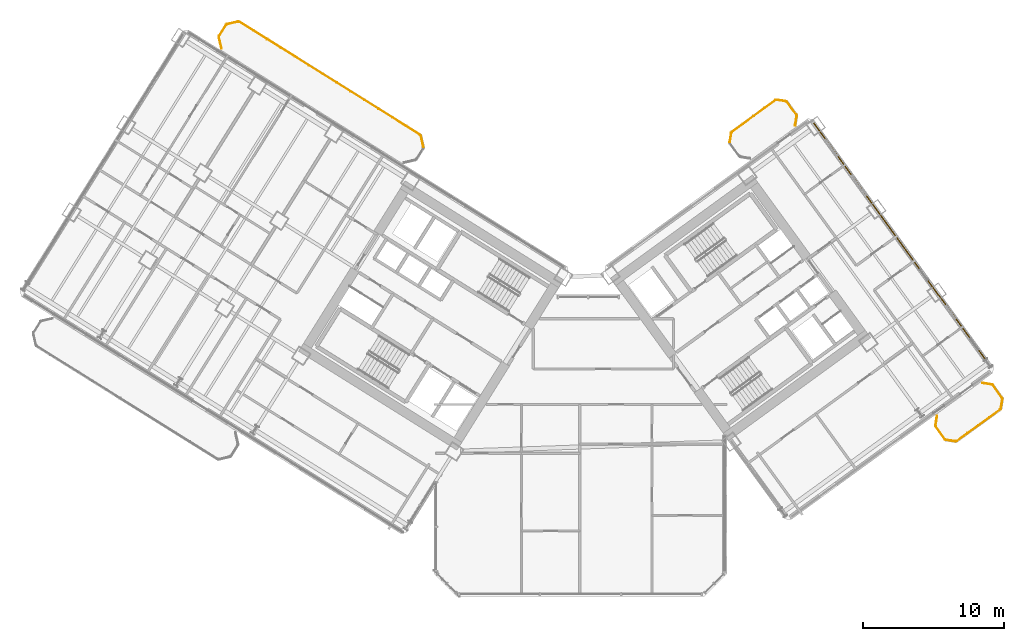
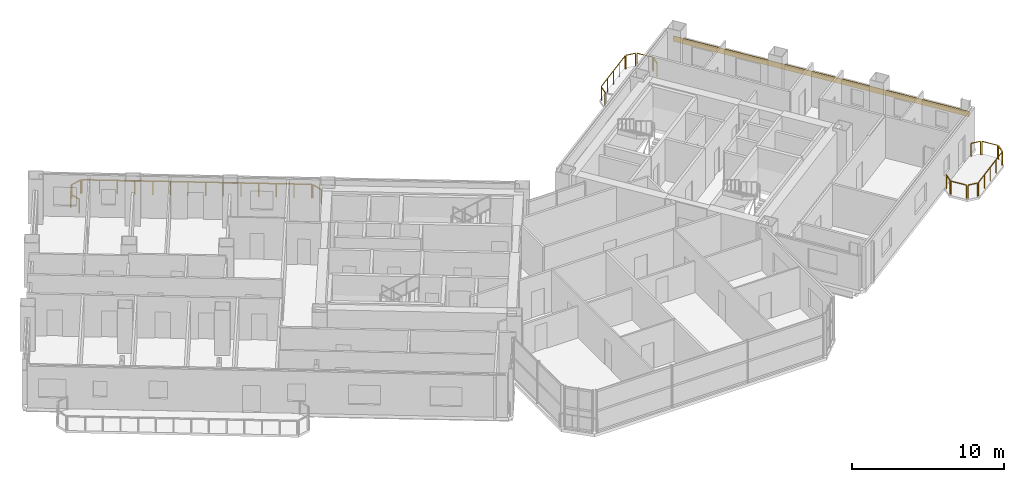
# One storey, part 28 of 28: 17 railings, 1 covering.
"""IFC4 building model written with IfcOpenShell, lengths in metres."""

from ifc_helpers import new_model, si_unit, direction, frame, origin, origin_2d, place, context, subcontext, project, spatial, rectangle, extrude, source, transform, mapped, material, layer, layer_set, type_object, element, save


model = new_model("IFC4")

# Units and contexts
model_context = context("Model", 3, precision=1e-05, world=origin(), true_north=direction((0.0, 1.0)))
body_context = subcontext(model_context, "Body", "Model", "MODEL_VIEW")
ifc_project = project(units=[si_unit("LENGTHUNIT", "METRE"), si_unit("AREAUNIT", "SQUARE_METRE"), si_unit("VOLUMEUNIT", "CUBIC_METRE"), si_unit("PLANEANGLEUNIT", "RADIAN"), si_unit("MASSUNIT", "GRAM", prefix="KILO")], contexts=[model_context])

# Site, building, storey
site_placement = place(None, origin())
site = spatial("IfcSite", under=ifc_project, at=site_placement, CompositionType="ELEMENT")
building_placement = place(site_placement, origin())
building = spatial("IfcBuilding", under=site, at=building_placement, Name="Tlacorven Tower", CompositionType="ELEMENT")
storey_placement = place(building_placement, frame((0.0, 0.0, 56.39990234375)))
storey = spatial("IfcBuildingStorey", under=building, at=storey_placement, Name="L14", CompositionType="ELEMENT", Elevation=56.39990234375)

# Railings
ifc_material_1 = material(Name="Aluminium and painted steel balustrade", Category="steel")
railing_type = type_object("IfcRailingType", Name="RL-BAL-1100", PredefinedType="BALUSTRADE", material=ifc_material_1)
shared_shape_1 = source(origin(), body_context, "Body", "SweptSolid", [
    extrude(rectangle(XDim=0.048095703125, YDim=0.048095703125, at=origin_2d()), frame((0.0, 0.0, 1.076171875), z_axis=(0.225058334816, -0.974345290916, 0.0), x_axis=(0.974345290916, 0.225058334816, 0.0)), (0.0, 0.0, 1.0), 0.80712890625),
    extrude(rectangle(XDim=0.0419921875, YDim=0.0419921875, at=origin_2d()), origin(), (0.0, 0.0, 1.0), 1.052001953125),
    extrude(rectangle(XDim=0.0419921875, YDim=0.0419921875, at=origin_2d()), frame((0.181640625, -0.786376953125, 0.0)), (0.0, 0.0, 1.0), 1.052001953125),
])
railing_1_placement = place(storey_placement, frame((30.6796875, 34.466064453125, 0.0)))
element("IfcRailing", 1, at=railing_1_placement, inside=storey, type_object=railing_type, Name="BAL-L14-W-IN Guard Railing 1", PredefinedType="BALUSTRADE", context=body_context, shape_type="MappedRepresentation", body=[
    mapped(shared_shape_1, transform((0.0, 0.0, 0.0), scale=1.0)),
])
shared_shape_2 = source(origin(), body_context, "Body", "SweptSolid", [
    extrude(rectangle(XDim=0.048095703125, YDim=0.048095703125, at=origin_2d()), frame((0.0, 0.0, 1.076171875), z_axis=(-0.225058334816, 0.974345290916, 0.0), x_axis=(-0.974345290916, -0.225058334816, 0.0)), (0.0, 0.0, 1.0), 0.80712890625),
    extrude(rectangle(XDim=0.0419921875, YDim=0.0419921875, at=origin_2d()), origin(), (0.0, 0.0, 1.0), 1.052001953125),
    extrude(rectangle(XDim=0.0419921875, YDim=0.0419921875, at=origin_2d()), frame((-0.181640625, 0.786376953125, 0.0)), (0.0, 0.0, 1.0), 1.052001953125),
])
railing_2_placement = place(storey_placement, frame((16.5361328125, 40.68115234375, 0.0)))
element("IfcRailing", 2, at=railing_2_placement, inside=storey, type_object=railing_type, Name="BAL-L14-W-IN Guard Railing 4", PredefinedType="BALUSTRADE", context=body_context, shape_type="MappedRepresentation", body=[
    mapped(shared_shape_2, transform((0.0, 0.0, 0.0), scale=1.0)),
])
shared_shape_3 = source(origin(), body_context, "Body", "SweptSolid", [
    extrude(rectangle(XDim=0.048095703125, YDim=0.048095703125, at=origin_2d()), frame((0.0, 0.0, 1.076171875), z_axis=(0.52987865805, 0.848073468364, 0.0), x_axis=(-0.848073468364, 0.52987865805, 0.0)), (0.0, 0.0, 1.0), 0.912353515625),
    extrude(rectangle(XDim=0.0419921875, YDim=0.0419921875, at=origin_2d()), origin(), (0.0, 0.0, 1.0), 1.052001953125),
    extrude(rectangle(XDim=0.0419921875, YDim=0.0419921875, at=origin_2d()), frame((0.4833984375, 0.773681640625, 0.0)), (0.0, 0.0, 1.0), 1.052001953125),
])
railing_3_placement = place(storey_placement, frame((16.369873046875, 41.55859375, 0.0)))
element("IfcRailing", 3, at=railing_3_placement, inside=storey, type_object=railing_type, Name="BAL-L14-W-IN Guard Railing 5", PredefinedType="BALUSTRADE", context=body_context, shape_type="MappedRepresentation", body=[
    mapped(shared_shape_3, transform((0.0, 0.0, 0.0), scale=1.0)),
])
shared_shape_4 = source(origin(), body_context, "Body", "SweptSolid", [
    extrude(rectangle(XDim=0.048095703125, YDim=0.048095703125, at=origin_2d()), frame((0.0, 0.0, 1.076171875), z_axis=(0.974411586182, 0.224771129628, 0.0), x_axis=(-0.224771129628, 0.974411586182, 0.0)), (0.0, 0.0, 1.0), 0.80712890625),
    extrude(rectangle(XDim=0.0419921875, YDim=0.0419921875, at=origin_2d()), origin(), (0.0, 0.0, 1.0), 1.052001953125),
    extrude(rectangle(XDim=0.0419921875, YDim=0.0419921875, at=origin_2d()), frame((0.786376953125, 0.181396484375, 0.0)), (0.0, 0.0, 1.0), 1.052001953125),
])
railing_4_placement = place(storey_placement, frame((16.928466796875, 42.385986328125, 0.0)))
element("IfcRailing", 4, at=railing_4_placement, inside=storey, type_object=railing_type, Name="BAL-L14-W-IN Guard Railing 6", PredefinedType="BALUSTRADE", context=body_context, shape_type="MappedRepresentation", body=[
    mapped(shared_shape_4, transform((0.0, 0.0, 0.0), scale=1.0)),
])
shared_shape_5 = source(origin(), body_context, "Body", "SweptSolid", [
    extrude(rectangle(XDim=0.048095703125, YDim=0.048095703125, at=origin_2d()), frame((0.0, 0.0, 1.076171875), z_axis=(0.848044572804, -0.529924902733, 0.0), x_axis=(0.529924902733, 0.848044572804, 0.0)), (0.0, 0.0, 1.0), 15.1171875),
    extrude(rectangle(XDim=0.0419921875, YDim=0.0419921875, at=origin_2d()), origin(), (0.0, 0.0, 1.0), 1.052001953125),
    extrude(rectangle(XDim=0.0419921875, YDim=0.0419921875, at=origin_2d()), frame((0.986083984375, -0.6162109375, 0.0)), (0.0, 0.0, 1.0), 1.052001953125),
    extrude(rectangle(XDim=0.0419921875, YDim=0.0419921875, at=origin_2d()), frame((1.972412109375, -1.232421875, 0.0)), (0.0, 0.0, 1.0), 1.052001953125),
    extrude(rectangle(XDim=0.0419921875, YDim=0.0419921875, at=origin_2d()), frame((2.95849609375, -1.8486328125, 0.0)), (0.0, 0.0, 1.0), 1.052001953125),
    extrude(rectangle(XDim=0.0419921875, YDim=0.0419921875, at=origin_2d()), frame((3.944580078125, -2.46484375, 0.0)), (0.0, 0.0, 1.0), 1.052001953125),
    extrude(rectangle(XDim=0.0419921875, YDim=0.0419921875, at=origin_2d()), frame((4.930908203125, -3.0810546875, 0.0)), (0.0, 0.0, 1.0), 1.052001953125),
    extrude(rectangle(XDim=0.0419921875, YDim=0.0419921875, at=origin_2d()), frame((5.9169921875, -3.697265625, 0.0)), (0.0, 0.0, 1.0), 1.052001953125),
    extrude(rectangle(XDim=0.0419921875, YDim=0.0419921875, at=origin_2d()), frame((6.903076171875, -4.313720703125, 0.0)), (0.0, 0.0, 1.0), 1.052001953125),
    extrude(rectangle(XDim=0.0419921875, YDim=0.0419921875, at=origin_2d()), frame((7.88916015625, -4.929931640625, 0.0)), (0.0, 0.0, 1.0), 1.052001953125),
    extrude(rectangle(XDim=0.0419921875, YDim=0.0419921875, at=origin_2d()), frame((8.87548828125, -5.546142578125, 0.0)), (0.0, 0.0, 1.0), 1.052001953125),
    extrude(rectangle(XDim=0.0419921875, YDim=0.0419921875, at=origin_2d()), frame((9.861572265625, -6.162353515625, 0.0)), (0.0, 0.0, 1.0), 1.052001953125),
    extrude(rectangle(XDim=0.0419921875, YDim=0.0419921875, at=origin_2d()), frame((10.84765625, -6.778564453125, 0.0)), (0.0, 0.0, 1.0), 1.052001953125),
    extrude(rectangle(XDim=0.0419921875, YDim=0.0419921875, at=origin_2d()), frame((11.833984375, -7.394775390625, 0.0)), (0.0, 0.0, 1.0), 1.052001953125),
    extrude(rectangle(XDim=0.0419921875, YDim=0.0419921875, at=origin_2d()), frame((12.820068359375, -8.010986328125, 0.0)), (0.0, 0.0, 1.0), 1.052001953125),
])
railing_5_placement = place(storey_placement, frame((17.805908203125, 42.55224609375, 0.0)))
element("IfcRailing", 5, at=railing_5_placement, inside=storey, type_object=railing_type, Name="BAL-L14-W-IN Guard Railing 7", PredefinedType="BALUSTRADE", context=body_context, shape_type="MappedRepresentation", body=[
    mapped(shared_shape_5, transform((0.0, 0.0, 0.0), scale=1.0)),
])
shared_shape_6 = source(origin(), body_context, "Body", "SweptSolid", [
    extrude(rectangle(XDim=0.048095703125, YDim=0.048095703125, at=origin_2d()), frame((0.0, 0.0, 1.076171875), z_axis=(-0.987661653326, 0.156602868908, 0.0), x_axis=(-0.156602868908, -0.987661653326, 0.0)), (0.0, 0.0, 1.0), 0.665771484375),
    extrude(rectangle(XDim=0.0419921875, YDim=0.0419921875, at=origin_2d()), origin(), (0.0, 0.0, 1.0), 1.052001953125),
    extrude(rectangle(XDim=0.0419921875, YDim=0.0419921875, at=origin_2d()), frame((-0.657470703125, 0.104248046875, 0.0)), (0.0, 0.0, 1.0), 1.052001953125),
])
railing_6_placement = place(storey_placement, frame((68.59521484375, 12.7919921875, 0.0)))
element("IfcRailing", 6, at=railing_6_placement, inside=storey, type_object=railing_type, Name="BAL-L14-E-OUT Guard Railing 1", PredefinedType="BALUSTRADE", context=body_context, shape_type="MappedRepresentation", body=[
    mapped(shared_shape_6, transform((0.0, 0.0, 0.0), scale=1.0)),
])
shared_shape_7 = source(origin(), body_context, "Body", "SweptSolid", [
    extrude(rectangle(XDim=0.048095703125, YDim=0.048095703125, at=origin_2d()), frame((0.0, 0.0, 1.076171875), z_axis=(-0.58788449985, 0.808944877501, 0.0), x_axis=(-0.808944877501, -0.58788449985, 0.0)), (0.0, 0.0, 1.0), 1.112060546875),
    extrude(rectangle(XDim=0.0419921875, YDim=0.0419921875, at=origin_2d()), origin(), (0.0, 0.0, 1.0), 1.052001953125),
    extrude(rectangle(XDim=0.0419921875, YDim=0.0419921875, at=origin_2d()), frame((-0.65380859375, 0.899658203125, 0.0)), (0.0, 0.0, 1.0), 1.052001953125),
])
railing_7_placement = place(storey_placement, frame((67.85888671875, 12.944580078125, 0.0)))
element("IfcRailing", 7, at=railing_7_placement, inside=storey, type_object=railing_type, Name="BAL-L14-E-OUT Guard Railing 2", PredefinedType="BALUSTRADE", context=body_context, shape_type="MappedRepresentation", body=[
    mapped(shared_shape_7, transform((0.0, 0.0, 0.0), scale=1.0)),
])
shared_shape_8 = source(origin(), body_context, "Body", "SweptSolid", [
    extrude(rectangle(XDim=0.048095703125, YDim=0.048095703125, at=origin_2d()), frame((0.0, 0.0, 1.076171875), z_axis=(0.156602868908, 0.987661653326, 0.0), x_axis=(-0.987661653326, 0.156602868908, 0.0)), (0.0, 0.0, 1.0), 0.665771484375),
    extrude(rectangle(XDim=0.0419921875, YDim=0.0419921875, at=origin_2d()), origin(), (0.0, 0.0, 1.0), 1.052001953125),
    extrude(rectangle(XDim=0.0419921875, YDim=0.0419921875, at=origin_2d()), frame((0.104248046875, 0.657470703125, 0.0)), (0.0, 0.0, 1.0), 1.052001953125),
])
railing_8_placement = place(storey_placement, frame((67.18359375, 13.93408203125, 0.0)))
element("IfcRailing", 8, at=railing_8_placement, inside=storey, type_object=railing_type, Name="BAL-L14-E-OUT Guard Railing 3", PredefinedType="BALUSTRADE", context=body_context, shape_type="MappedRepresentation", body=[
    mapped(shared_shape_8, transform((0.0, 0.0, 0.0), scale=1.0)),
])
shared_shape_9 = source(origin(), body_context, "Body", "SweptSolid", [
    extrude(rectangle(XDim=0.048095703125, YDim=0.048095703125, at=origin_2d()), frame((0.0, 0.0, 1.076171875), z_axis=(0.987718317463, -0.156245081039, 0.0), x_axis=(0.156245081039, 0.987718317463, 0.0)), (0.0, 0.0, 1.0), 0.66552734375),
    extrude(rectangle(XDim=0.0419921875, YDim=0.0419921875, at=origin_2d()), origin(), (0.0, 0.0, 1.0), 1.052001953125),
    extrude(rectangle(XDim=0.0419921875, YDim=0.0419921875, at=origin_2d()), frame((0.657470703125, -0.10400390625, 0.0)), (0.0, 0.0, 1.0), 1.052001953125),
])
railing_9_placement = place(storey_placement, frame((70.513916015625, 16.935546875, 0.0)))
element("IfcRailing", 9, at=railing_9_placement, inside=storey, type_object=railing_type, Name="BAL-L14-E-OUT Guard Railing 4", PredefinedType="BALUSTRADE", context=body_context, shape_type="MappedRepresentation", body=[
    mapped(shared_shape_9, transform((0.0, 0.0, 0.0), scale=1.0)),
])
shared_shape_10 = source(origin(), body_context, "Body", "SweptSolid", [
    extrude(rectangle(XDim=0.048095703125, YDim=0.048095703125, at=origin_2d()), frame((0.0, 0.0, 1.076171875), z_axis=(0.58788449985, -0.808944877501, 0.0), x_axis=(0.808944877501, 0.58788449985, 0.0)), (0.0, 0.0, 1.0), 1.112060546875),
    extrude(rectangle(XDim=0.0419921875, YDim=0.0419921875, at=origin_2d()), origin(), (0.0, 0.0, 1.0), 1.052001953125),
    extrude(rectangle(XDim=0.0419921875, YDim=0.0419921875, at=origin_2d()), frame((0.65380859375, -0.899658203125, 0.0)), (0.0, 0.0, 1.0), 1.052001953125),
])
for number, where, name in (
    (10, (71.250244140625, 16.783203125, 0.0), "BAL-L14-E-OUT Guard Railing 5"),
    (11, (56.658447265625, 36.866943359375, 0.0), "BAL-L14-E-IN Guard Railing 6"),
):
    element("IfcRailing", number, at=place(storey_placement, frame(where)), inside=storey, type_object=railing_type, Name=name, PredefinedType="BALUSTRADE", context=body_context, shape_type="MappedRepresentation", body=[
        mapped(shared_shape_10, transform((0.0, 0.0, 0.0), scale=1.0)),
    ])
shared_shape_11 = source(origin(), body_context, "Body", "SweptSolid", [
    extrude(rectangle(XDim=0.048095703125, YDim=0.048095703125, at=origin_2d()), frame((0.0, 0.0, 1.076171875), z_axis=(-0.156188498702, -0.987727266442, 0.0), x_axis=(0.987727266442, -0.156188498702, 0.0)), (0.0, 0.0, 1.0), 0.665771484375),
    extrude(rectangle(XDim=0.0419921875, YDim=0.0419921875, at=origin_2d()), origin(), (0.0, 0.0, 1.0), 1.052001953125),
    extrude(rectangle(XDim=0.0419921875, YDim=0.0419921875, at=origin_2d()), frame((-0.10400390625, -0.65771484375, 0.0)), (0.0, 0.0, 1.0), 1.052001953125),
])
railing_10_placement = place(storey_placement, frame((71.925537109375, 15.793701171875, 0.0)))
element("IfcRailing", 12, at=railing_10_placement, inside=storey, type_object=railing_type, Name="BAL-L14-E-OUT Guard Railing 6", PredefinedType="BALUSTRADE", context=body_context, shape_type="MappedRepresentation", body=[
    mapped(shared_shape_11, transform((0.0, 0.0, 0.0), scale=1.0)),
])
shared_shape_12 = source(origin(), body_context, "Body", "SweptSolid", [
    extrude(rectangle(XDim=0.048095703125, YDim=0.048095703125, at=origin_2d()), frame((0.0, 0.0, 1.076171875), z_axis=(-0.809018102573, -0.587783726986, 0.0), x_axis=(0.587783726986, -0.809018102573, 0.0)), (0.0, 0.0, 1.0), 3.817138671875),
    extrude(rectangle(XDim=0.0419921875, YDim=0.0419921875, at=origin_2d()), origin(), (0.0, 0.0, 1.0), 1.052001953125),
    extrude(rectangle(XDim=0.0419921875, YDim=0.0419921875, at=origin_2d()), frame((-0.77197265625, -0.56103515625, 0.0)), (0.0, 0.0, 1.0), 1.052001953125),
    extrude(rectangle(XDim=0.0419921875, YDim=0.0419921875, at=origin_2d()), frame((-1.5439453125, -1.121826171875, 0.0)), (0.0, 0.0, 1.0), 1.052001953125),
    extrude(rectangle(XDim=0.0419921875, YDim=0.0419921875, at=origin_2d()), frame((-2.316162109375, -1.6826171875, 0.0)), (0.0, 0.0, 1.0), 1.052001953125),
    extrude(rectangle(XDim=0.0419921875, YDim=0.0419921875, at=origin_2d()), frame((-3.088134765625, -2.24365234375, 0.0)), (0.0, 0.0, 1.0), 1.052001953125),
])
railing_11_placement = place(storey_placement, frame((71.773193359375, 15.057373046875, 0.0)))
element("IfcRailing", 13, at=railing_11_placement, inside=storey, type_object=railing_type, Name="BAL-L14-E-OUT Guard Railing 7", PredefinedType="BALUSTRADE", context=body_context, shape_type="MappedRepresentation", body=[
    mapped(shared_shape_12, transform((0.0, 0.0, 0.0), scale=1.0)),
])
shared_shape_13 = source(origin(), body_context, "Body", "SweptSolid", [
    extrude(rectangle(XDim=0.048095703125, YDim=0.048095703125, at=origin_2d()), frame((0.0, 0.0, 1.076171875), z_axis=(0.156546163506, 0.987670642822, 0.0), x_axis=(-0.987670642822, 0.156546163506, 0.0)), (0.0, 0.0, 1.0), 0.666015625),
    extrude(rectangle(XDim=0.0419921875, YDim=0.0419921875, at=origin_2d()), origin(), (0.0, 0.0, 1.0), 1.052001953125),
    extrude(rectangle(XDim=0.0419921875, YDim=0.0419921875, at=origin_2d()), frame((0.104248046875, 0.65771484375, 0.0)), (0.0, 0.0, 1.0), 1.052001953125),
])
railing_12_placement = place(storey_placement, frame((52.591796875, 34.017822265625, 0.0)))
element("IfcRailing", 14, at=railing_12_placement, inside=storey, type_object=railing_type, Name="BAL-L14-E-IN Guard Railing 3", PredefinedType="BALUSTRADE", context=body_context, shape_type="MappedRepresentation", body=[
    mapped(shared_shape_13, transform((0.0, 0.0, 0.0), scale=1.0)),
])
shared_shape_14 = source(origin(), body_context, "Body", "SweptSolid", [
    extrude(rectangle(XDim=0.048095703125, YDim=0.048095703125, at=origin_2d()), frame((0.0, 0.0, 1.076171875), z_axis=(0.809040198054, 0.587753313843, 0.0), x_axis=(-0.587753313843, 0.809040198054, 0.0)), (0.0, 0.0, 1.0), 3.8173828125),
    extrude(rectangle(XDim=0.0419921875, YDim=0.0419921875, at=origin_2d()), origin(), (0.0, 0.0, 1.0), 1.052001953125),
    extrude(rectangle(XDim=0.0419921875, YDim=0.0419921875, at=origin_2d()), frame((0.77197265625, 0.56103515625, 0.0)), (0.0, 0.0, 1.0), 1.052001953125),
    extrude(rectangle(XDim=0.0419921875, YDim=0.0419921875, at=origin_2d()), frame((1.544189453125, 1.121826171875, 0.0)), (0.0, 0.0, 1.0), 1.052001953125),
    extrude(rectangle(XDim=0.0419921875, YDim=0.0419921875, at=origin_2d()), frame((2.31640625, 1.6826171875, 0.0)), (0.0, 0.0, 1.0), 1.052001953125),
    extrude(rectangle(XDim=0.0419921875, YDim=0.0419921875, at=origin_2d()), frame((3.08837890625, 2.24365234375, 0.0)), (0.0, 0.0, 1.0), 1.052001953125),
])
railing_13_placement = place(storey_placement, frame((52.744140625, 34.754150390625, 0.0)))
element("IfcRailing", 15, at=railing_13_placement, inside=storey, type_object=railing_type, Name="BAL-L14-E-IN Guard Railing 4", PredefinedType="BALUSTRADE", context=body_context, shape_type="MappedRepresentation", body=[
    mapped(shared_shape_14, transform((0.0, 0.0, 0.0), scale=1.0)),
])
shared_shape_15 = source(origin(), body_context, "Body", "SweptSolid", [
    extrude(rectangle(XDim=0.048095703125, YDim=0.048095703125, at=origin_2d()), frame((0.0, 0.0, 1.076171875), z_axis=(0.987670642822, -0.156546163506, 0.0), x_axis=(0.156546163506, 0.987670642822, 0.0)), (0.0, 0.0, 1.0), 0.666015625),
    extrude(rectangle(XDim=0.0419921875, YDim=0.0419921875, at=origin_2d()), origin(), (0.0, 0.0, 1.0), 1.052001953125),
    extrude(rectangle(XDim=0.0419921875, YDim=0.0419921875, at=origin_2d()), frame((0.65771484375, -0.104248046875, 0.0)), (0.0, 0.0, 1.0), 1.052001953125),
])
railing_14_placement = place(storey_placement, frame((55.922119140625, 37.01953125, 0.0)))
element("IfcRailing", 16, at=railing_14_placement, inside=storey, type_object=railing_type, Name="BAL-L14-E-IN Guard Railing 5", PredefinedType="BALUSTRADE", context=body_context, shape_type="MappedRepresentation", body=[
    mapped(shared_shape_15, transform((0.0, 0.0, 0.0), scale=1.0)),
])
shared_shape_16 = source(origin(), body_context, "Body", "SweptSolid", [
    extrude(rectangle(XDim=0.048095703125, YDim=0.048095703125, at=origin_2d()), frame((0.0, 0.0, 1.076171875), z_axis=(-0.156245081039, -0.987718317463, 0.0), x_axis=(0.987718317463, -0.156245081039, 0.0)), (0.0, 0.0, 1.0), 0.66552734375),
    extrude(rectangle(XDim=0.0419921875, YDim=0.0419921875, at=origin_2d()), origin(), (0.0, 0.0, 1.0), 1.052001953125),
    extrude(rectangle(XDim=0.0419921875, YDim=0.0419921875, at=origin_2d()), frame((-0.10400390625, -0.657470703125, 0.0)), (0.0, 0.0, 1.0), 1.052001953125),
])
railing_15_placement = place(storey_placement, frame((57.333740234375, 35.87744140625, 0.0)))
element("IfcRailing", 17, at=railing_15_placement, inside=storey, type_object=railing_type, Name="BAL-L14-E-IN Guard Railing 7", PredefinedType="BALUSTRADE", context=body_context, shape_type="MappedRepresentation", body=[
    mapped(shared_shape_16, transform((0.0, 0.0, 0.0), scale=1.0)),
])

# Covering
ifc_material_2 = material(Name="Precast concrete C45/55", Category="concrete")
ifc_layer = layer(ifc_material_2, 0.06005859375)
ifc_layer_set = layer_set([ifc_layer], Name="Precast concrete C45/55")
covering_type = type_object("IfcCoveringType", Name="CV-CLD-TERC", PredefinedType="CLADDING", material=ifc_layer_set)
shared_shape_17 = source(origin(), body_context, "Body", "SweptSolid", [
    extrude(rectangle(XDim=21.287353515625, YDim=0.06005859375, at=origin_2d()), origin(), (0.0, 0.0, 1.0), 0.419921875),
])
covering_placement = place(storey_placement, frame((64.799072265625, 26.75146484375, 2.30517578125), z_axis=(0.0, 0.0, 1.0), x_axis=(0.587785363163, -0.809016913823, 0.0)))
element("IfcCovering", 18, at=covering_placement, inside=storey, type_object=covering_type, Name="L14 Masonry-Frame Spandrel Cladding 5", PredefinedType="CLADDING", context=body_context, shape_type="MappedRepresentation", body=[
    mapped(shared_shape_17, transform((0.0, 0.0, 0.0), scale=1.0)),
])

save(model, "model.ifc")
